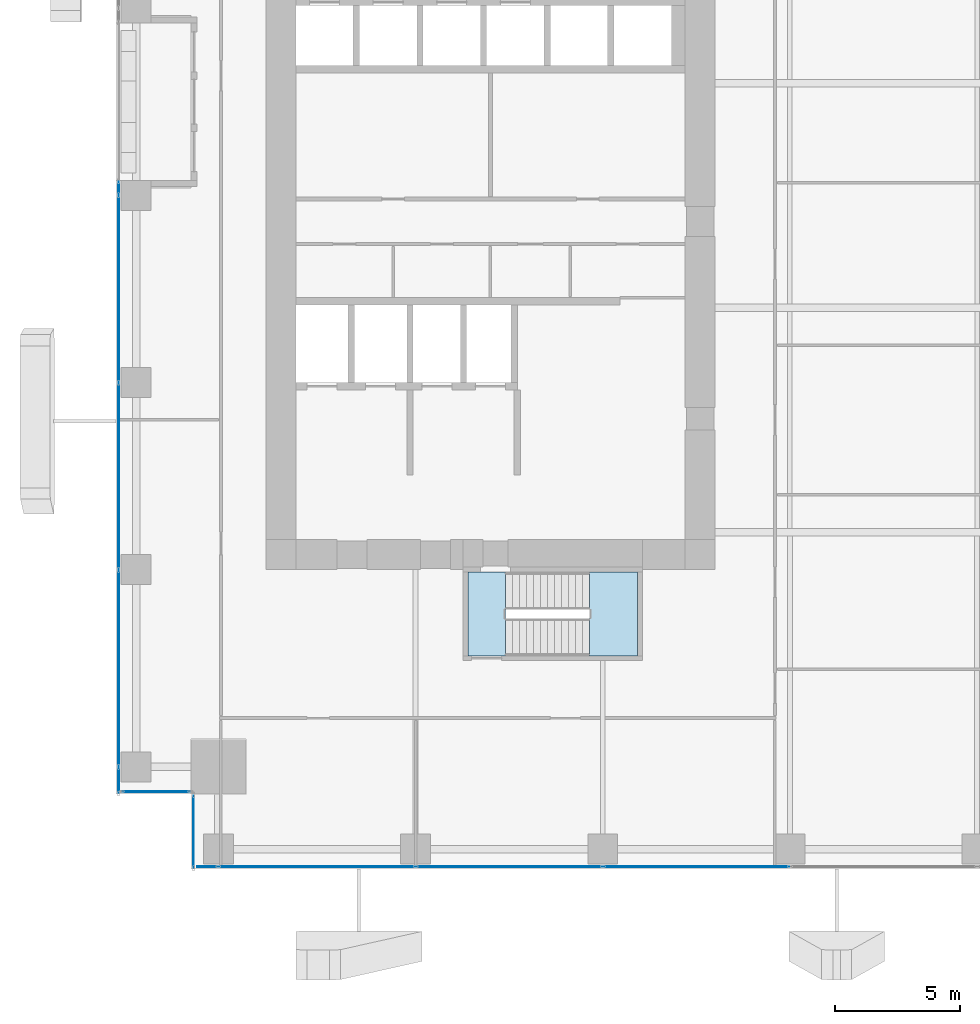
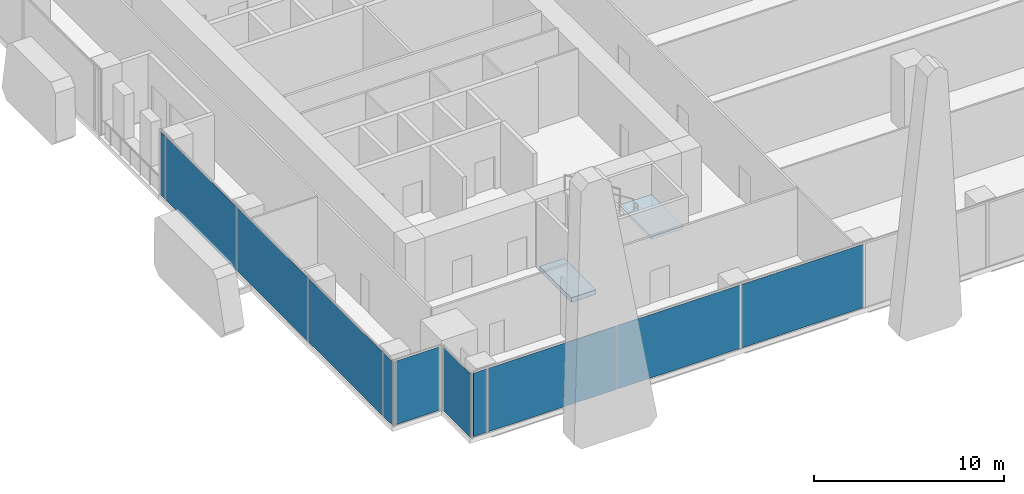
# One storey, part 22 of 35: 11 plates, 2 slabs, 5 elements without a shape of their own.
"""IFC4 building model written with IfcOpenShell, lengths in metres."""

from ifc_helpers import new_model, si_unit, direction, frame, origin, origin_2d, place, context, subcontext, project, spatial, polyline, rectangle, outline, extrude, source, transform, mapped, material, layer, layer_set, type_object, element, aggregate, save


model = new_model("IFC4")

# Units and contexts
model_context = context("Model", 3, precision=1e-05, world=origin(), true_north=direction((0.0, 1.0)))
body_context = subcontext(model_context, "Body", "Model", "MODEL_VIEW")
ifc_project = project(units=[si_unit("LENGTHUNIT", "METRE"), si_unit("AREAUNIT", "SQUARE_METRE"), si_unit("VOLUMEUNIT", "CUBIC_METRE"), si_unit("PLANEANGLEUNIT", "RADIAN"), si_unit("MASSUNIT", "GRAM", prefix="KILO")], contexts=[model_context])

# Site, building, storey
site_placement = place(None, origin())
site = spatial("IfcSite", under=ifc_project, at=site_placement, CompositionType="ELEMENT")
building_placement = place(site_placement, origin())
building = spatial("IfcBuilding", under=site, at=building_placement, Name="Khomas Fold Tower", CompositionType="ELEMENT")
storey_placement = place(building_placement, frame((0.0, 0.0, 69.0)))
storey = spatial("IfcBuildingStorey", under=building, at=storey_placement, Name="L14", CompositionType="ELEMENT", Elevation=69.0)

# Curtain wall, plates
ifc_material_1 = material(Name="Aluminium framed double glazing", Category="aluminium")
curtain_wall_type = type_object("IfcCurtainWallType", Name="SK-Unitised clear-glass wall, growing floors CW1", PredefinedType="NOTDEFINED", material=ifc_material_1)
curtain_wall_1_placement = place(storey_placement, origin())
curtain_wall_1 = element("IfcCurtainWall", 1, at=curtain_wall_1_placement, inside=storey, type_object=curtain_wall_type, Name="CW1 run L14 00-0", PredefinedType="NOTDEFINED")
ifc_material_2 = material(Name="Clear double glazed unit")
ifc_layer_1 = layer(ifc_material_2, 0.031982421875)
ifc_layer_set_1 = layer_set([ifc_layer_1], Name="Clear double glazed unit")
plate_type = type_object("IfcPlateType", Name="SK-Unitised clear-glass wall, growing floors glass panel CW1-P", PredefinedType="CURTAIN_PANEL", material=ifc_layer_set_1)
shared_shape_1 = source(origin(), body_context, "Body", "SweptSolid", [
    extrude(rectangle(XDim=0.81005859375, YDim=0.031982421875, at=origin_2d()), origin(), (0.0, 0.0, 1.0), 4.080078125),
])
plate_1_placement = place(storey_placement, frame((3.6650390625, 0.10009765625, 0.0), z_axis=(0.0, 0.0, 1.0), x_axis=(1.0, 0.0, 0.0)))
plate_1 = element("IfcPlate", 2, at=plate_1_placement, type_object=plate_type, Name="CW1 glass panel 1", PredefinedType="CURTAIN_PANEL", context=body_context, shape_type="MappedRepresentation", body=[
    mapped(shared_shape_1, transform((0.0, 0.0, 0.0))),
])
shared_shape_2 = source(origin(), body_context, "Body", "SweptSolid", [
    extrude(rectangle(XDim=7.840087890625, YDim=0.031982421875, at=origin_2d()), origin(), (0.0, 0.0, 1.0), 4.080078125),
])
plate_2_placement = place(storey_placement, frame((8.050048828125, 0.10009765625, 0.0), z_axis=(0.0, 0.0, 1.0), x_axis=(1.0, 0.0, 0.0)))
plate_2 = element("IfcPlate", 3, at=plate_2_placement, type_object=plate_type, Name="CW1 glass panel 2", PredefinedType="CURTAIN_PANEL", context=body_context, shape_type="MappedRepresentation", body=[
    mapped(shared_shape_2, transform((0.0, 0.0, 0.0))),
])

# Curtain wall, plate
curtain_wall_2_placement = place(storey_placement, origin())
curtain_wall_2 = element("IfcCurtainWall", 4, at=curtain_wall_2_placement, inside=storey, type_object=curtain_wall_type, Name="CW1 run L14 09-1", PredefinedType="NOTDEFINED")
plate_3_placement = place(storey_placement, frame((0.10009765625, 8.050048828125, 0.0), z_axis=(0.0, 0.0, 1.0), x_axis=(0.0, -1.0, 0.0)))
plate_3 = element("IfcPlate", 5, at=plate_3_placement, type_object=plate_type, Name="CW1 glass panel 4", PredefinedType="CURTAIN_PANEL", context=body_context, shape_type="MappedRepresentation", body=[
    mapped(shared_shape_2, transform((0.0, 0.0, 0.0))),
])

# Plate
shared_shape_3 = source(origin(), body_context, "Body", "SweptSolid", [
    extrude(rectangle(XDim=7.43994140625, YDim=0.031982421875, at=origin_2d()), origin(), (0.0, 0.0, 1.0), 4.080078125),
])
plate_4_placement = place(storey_placement, frame((15.75, 0.10009765625, 0.0), z_axis=(0.0, 0.0, 1.0), x_axis=(1.0, 0.0, 0.0)))
plate_4 = element("IfcPlate", 6, at=plate_4_placement, type_object=plate_type, Name="CW1 glass panel 3", PredefinedType="CURTAIN_PANEL", context=body_context, shape_type="MappedRepresentation", body=[
    mapped(shared_shape_3, transform((0.0, 0.0, 0.0))),
])

plate_5_placement = place(storey_placement, frame((23.25, 0.10009765625, 0.0), z_axis=(0.0, 0.0, 1.0), x_axis=(1.0, 0.0, 0.0)))
plate_5 = element("IfcPlate", 7, at=plate_5_placement, type_object=plate_type, Name="CW1 glass panel 4", PredefinedType="CURTAIN_PANEL", context=body_context, shape_type="MappedRepresentation", body=[
    mapped(shared_shape_3, transform((0.0, 0.0, 0.0))),
])

aggregate(curtain_wall_1, [plate_1, plate_2, plate_4, plate_5])

plate_6_placement = place(storey_placement, frame((0.10009765625, 23.25, 0.0), z_axis=(0.0, 0.0, 1.0), x_axis=(0.0, -1.0, 0.0)))
plate_6 = element("IfcPlate", 8, at=plate_6_placement, type_object=plate_type, Name="CW1 glass panel 2", PredefinedType="CURTAIN_PANEL", context=body_context, shape_type="MappedRepresentation", body=[
    mapped(shared_shape_3, transform((0.0, 0.0, 0.0))),
])

plate_7_placement = place(storey_placement, frame((0.10009765625, 15.75, 0.0), z_axis=(0.0, 0.0, 1.0), x_axis=(0.0, -1.0, 0.0)))
plate_7 = element("IfcPlate", 9, at=plate_7_placement, type_object=plate_type, Name="CW1 glass panel 3", PredefinedType="CURTAIN_PANEL", context=body_context, shape_type="MappedRepresentation", body=[
    mapped(shared_shape_3, transform((0.0, 0.0, 0.0))),
])

shared_shape_4 = source(origin(), body_context, "Body", "SweptSolid", [
    extrude(rectangle(XDim=1.010009765625, YDim=0.031982421875, at=origin_2d()), origin(), (0.0, 0.0, 1.0), 4.080078125),
])
plate_8_placement = place(storey_placement, frame((0.10009765625, 3.56494140625, 0.0), z_axis=(0.0, 0.0, 1.0), x_axis=(0.0, -1.0, 0.0)))
plate_8 = element("IfcPlate", 10, at=plate_8_placement, type_object=plate_type, Name="CW1 glass panel 5", PredefinedType="CURTAIN_PANEL", context=body_context, shape_type="MappedRepresentation", body=[
    mapped(shared_shape_4, transform((0.0, 0.0, 0.0))),
])

# Curtain wall, plate
curtain_wall_3_placement = place(storey_placement, origin())
curtain_wall_3 = element("IfcCurtainWall", 11, at=curtain_wall_3_placement, inside=storey, type_object=curtain_wall_type, Name="CW1 corner return L14 10", PredefinedType="NOTDEFINED")
shared_shape_5 = source(origin(), body_context, "Body", "SweptSolid", [
    extrude(rectangle(XDim=2.679931640625, YDim=0.031982421875, at=origin_2d()), origin(), (0.0, 0.0, 1.0), 4.080078125),
])
plate_9_placement = place(storey_placement, frame((1.60009765625, 3.10009765625, 0.0), z_axis=(0.0, 0.0, 1.0), x_axis=(1.0, 0.0, 0.0)))
plate_9 = element("IfcPlate", 12, at=plate_9_placement, type_object=plate_type, Name="CW1 glass panel 1", PredefinedType="CURTAIN_PANEL", context=body_context, shape_type="MappedRepresentation", body=[
    mapped(shared_shape_5, transform((0.0, 0.0, 0.0))),
])
aggregate(curtain_wall_3, [plate_9])

curtain_wall_4_placement = place(storey_placement, origin())
curtain_wall_4 = element("IfcCurtainWall", 13, at=curtain_wall_4_placement, inside=storey, type_object=curtain_wall_type, Name="CW1 corner return L14 11", PredefinedType="NOTDEFINED")
shared_shape_6 = source(origin(), body_context, "Body", "SweptSolid", [
    extrude(rectangle(XDim=2.8798828125, YDim=0.031982421875, at=origin_2d()), origin(), (0.0, 0.0, 1.0), 4.080078125),
])
plate_10_placement = place(storey_placement, frame((3.10009765625, 1.5, 0.0), z_axis=(0.0, 0.0, 1.0), x_axis=(0.0, -1.0, 0.0)))
plate_10 = element("IfcPlate", 14, at=plate_10_placement, type_object=plate_type, Name="CW1 glass panel 1", PredefinedType="CURTAIN_PANEL", context=body_context, shape_type="MappedRepresentation", body=[
    mapped(shared_shape_6, transform((0.0, 0.0, 0.0))),
])
aggregate(curtain_wall_4, [plate_10])

# Plate
shared_shape_7 = source(origin(), body_context, "Body", "SweptSolid", [
    extrude(rectangle(XDim=0.510009765625, YDim=0.031982421875, at=origin_2d()), origin(), (0.0, 0.0, 1.0), 4.080078125),
])
plate_11_placement = place(storey_placement, frame((0.10009765625, 27.284912109375, 0.0), z_axis=(0.0, 0.0, 1.0), x_axis=(0.0, -1.0, 0.0)))
plate_11 = element("IfcPlate", 15, at=plate_11_placement, type_object=plate_type, Name="CW1 glass panel 1", PredefinedType="CURTAIN_PANEL", context=body_context, shape_type="MappedRepresentation", body=[
    mapped(shared_shape_7, transform((0.0, 0.0, 0.0))),
])

aggregate(curtain_wall_2, [plate_11, plate_6, plate_7, plate_3, plate_8])

# Stair, slab
ifc_material_3 = material(Name="Concrete C40/50", Category="concrete")
stair_type = type_object("IfcStairType", Name="Stair ST2", PredefinedType="HALF_TURN_STAIR", material=ifc_material_3)
stair_placement = place(storey_placement, origin())
stair = element("IfcStair", 16, at=stair_placement, inside=storey, type_object=stair_type, Name="L14 ST2", PredefinedType="HALF_TURN_STAIR")
ifc_material_4 = material(Name="Concrete C40/50", Category="concrete")
ifc_layer_2 = layer(ifc_material_4, 0.199951171875)
ifc_layer_set_2 = layer_set([ifc_layer_2], Name="Concrete C40/50")
slab_type_1 = type_object("IfcSlabType", Name="Stair landing 200", PredefinedType="LANDING", material=ifc_layer_set_2)
shared_shape_8 = source(origin(), body_context, "Body", "SweptSolid", [
    extrude(outline(polyline([(18.9599609375, 8.550048828125), (20.89990234375, 8.550048828125), (20.89990234375, 11.89990234375), (18.9599609375, 11.89990234375), (18.9599609375, 8.550048828125)])), origin(), (0.0, 0.0, 1.0), 0.199951171875),
])
slab_1_placement = place(storey_placement, frame((0.0, 0.0, 2.050048828125)))
slab_1 = element("IfcSlab", 17, at=slab_1_placement, type_object=slab_type_1, Name="ST2 landing 1", PredefinedType="LANDING", context=body_context, shape_type="MappedRepresentation", body=[
    mapped(shared_shape_8, transform((0.0, 0.0, 0.0))),
])
aggregate(stair, [slab_1])

# Slab
ifc_material_5 = material(Name="Concrete C40/50", Category="concrete")
ifc_layer_3 = layer(ifc_material_5, 0.300048828125)
ifc_layer_set_3 = layer_set([ifc_layer_3], Name="Concrete C40/50")
slab_type_2 = type_object("IfcSlabType", Name="Stair floor landing 300", PredefinedType="LANDING", material=ifc_layer_set_3)
shared_shape_9 = source(origin(), body_context, "Body", "SweptSolid", [
    extrude(outline(polyline([(15.60009765625, 8.550048828125), (14.10009765625, 8.550048828125), (14.10009765625, 11.89990234375), (15.60009765625, 11.89990234375), (15.60009765625, 8.550048828125)])), origin(), (0.0, 0.0, 1.0), 0.300048828125),
])
slab_2_placement = place(storey_placement, frame((0.0, 0.0, -0.300048828125)))
element("IfcSlab", 18, at=slab_2_placement, inside=storey, type_object=slab_type_2, Name="ST2 floor landing", PredefinedType="LANDING", context=body_context, shape_type="MappedRepresentation", body=[
    mapped(shared_shape_9, transform((0.0, 0.0, 0.0))),
])

save(model, "model.ifc")
